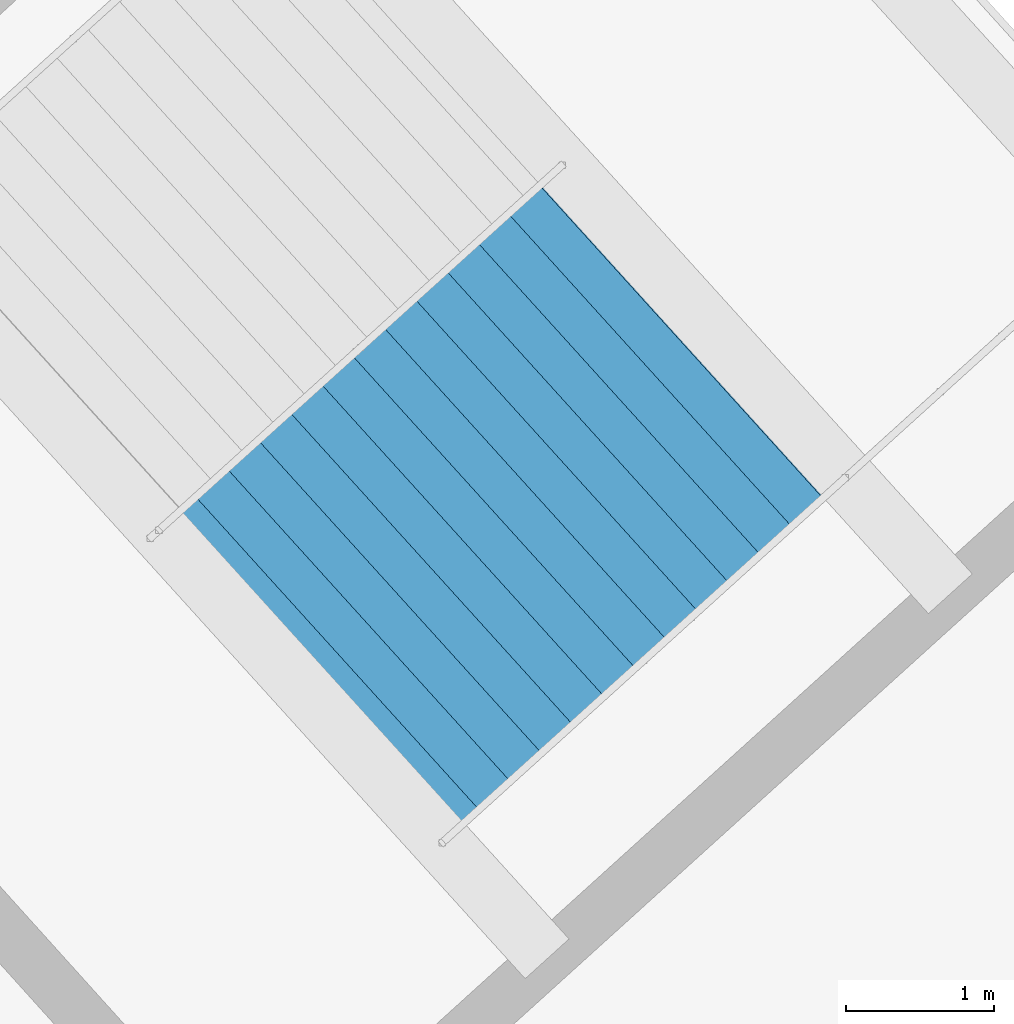
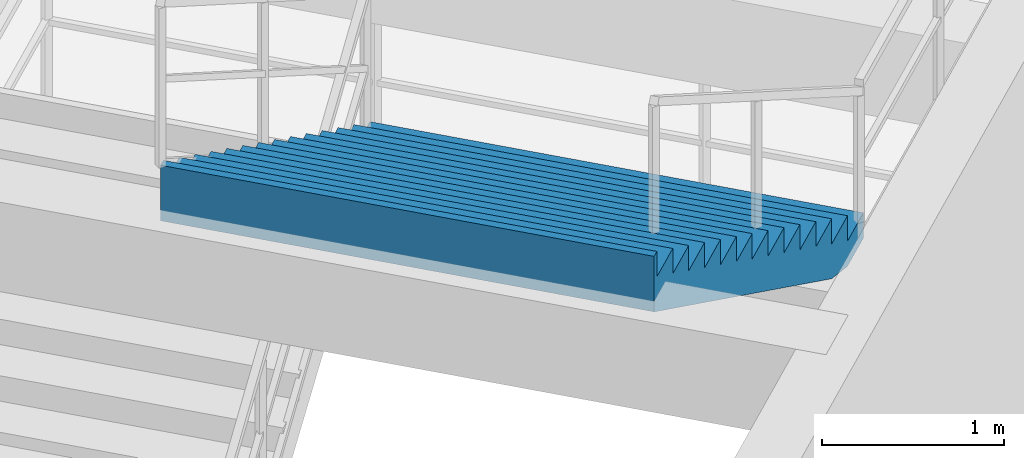
# One storey, part 148 of 171: 1 stair flight, 1 element without a shape of its own.
"""IFC4 building model written with IfcOpenShell, lengths in metres."""

from ifc_helpers import new_model, si_unit, direction, frame, origin, place, context, subcontext, project, spatial, polygons, material, type_object, element, aggregate, save


model = new_model("IFC4")

# Units and contexts
model_context = context("Model", 3, precision=1e-05, world=origin(), true_north=direction((0.0, 1.0)))
body_context = subcontext(model_context, "Body", "Model", "MODEL_VIEW")
ifc_project = project(units=[si_unit("LENGTHUNIT", "METRE"), si_unit("AREAUNIT", "SQUARE_METRE"), si_unit("VOLUMEUNIT", "CUBIC_METRE"), si_unit("PLANEANGLEUNIT", "RADIAN"), si_unit("MASSUNIT", "GRAM", prefix="KILO")], contexts=[model_context])

# Site, building, storey
site_placement = place(None, origin())
site = spatial("IfcSite", under=ifc_project, at=site_placement, CompositionType="ELEMENT")
building_placement = place(site_placement, origin())
building = spatial("IfcBuilding", under=site, at=building_placement, Name="Kazemori Nagisa Stadium", CompositionType="ELEMENT")
storey_placement = place(building_placement, frame((0.0, 0.0, 15.639892578125)))
storey = spatial("IfcBuildingStorey", under=building, at=storey_placement, Name="L03", CompositionType="ELEMENT", Elevation=15.639892578125)

# Stair, stair flight
ifc_material = material(Name="Concrete C36/45 (Fc36)", Category="concrete")
stair_type = type_object("IfcStairType", Name="Stair_CORE_28", PredefinedType="TWO_STRAIGHT_RUN_STAIR", material=ifc_material)
stair_placement = place(storey_placement, origin())
stair = element("IfcStair", 1, at=stair_placement, inside=storey, type_object=stair_type, Name="Exit stair ST04 L03", PredefinedType="TWO_STRAIGHT_RUN_STAIR")
stair_flight_type = type_object("IfcStairFlightType", Name="Flight_CORE_14", PredefinedType="STRAIGHT", material=ifc_material)
stair_flight_placement = place(storey_placement, frame((187.531494140625, 39.871337890625, 2.380126953125), z_axis=(0.0, 0.0, 1.0), x_axis=(-0.741324991793, -0.671146225903, 0.0)))
stair_flight = element("IfcStairFlight", 2, at=stair_flight_placement, type_object=stair_flight_type, Name="Exit stair ST04 L03 flight 2", NumberOfRisers=14, NumberOfTreads=13, PredefinedType="STRAIGHT", RiserHeight=0.17, TreadLength=0.285, context=body_context, shape_type="Tessellation", body=[
    polygons([(0.0, -1.425048828125, 0.0), (0.0, -1.425048828125, 0.169921875), (0.284912109375, -1.425048828125, 0.169921875), (0.284912109375, -1.425048828125, 0.340087890625), (0.570068359375, -1.425048828125, 0.340087890625), (0.570068359375, -1.425048828125, 0.510009765625), (0.85498046875, -1.425048828125, 0.510009765625), (0.85498046875, -1.425048828125, 0.679931640625), (1.139892578125, -1.425048828125, 0.679931640625), (1.139892578125, -1.425048828125, 0.85009765625), (1.425048828125, -1.425048828125, 0.85009765625), (1.425048828125, -1.425048828125, 1.02001953125), (1.7099609375, -1.425048828125, 1.02001953125), (1.7099609375, -1.425048828125, 1.18994140625), (1.9951171875, -1.425048828125, 1.18994140625), (1.9951171875, -1.425048828125, 1.360107421875), (2.280029296875, -1.425048828125, 1.360107421875), (2.280029296875, -1.425048828125, 1.530029296875), (2.56494140625, -1.425048828125, 1.530029296875), (2.56494140625, -1.425048828125, 1.699951171875), (2.85009765625, -1.425048828125, 1.699951171875), (2.85009765625, -1.425048828125, 1.8701171875), (3.135009765625, -1.425048828125, 1.8701171875), (3.135009765625, -1.425048828125, 2.0400390625), (3.419921875, -1.425048828125, 2.0400390625), (3.419921875, -1.425048828125, 2.2099609375), (3.705078125, -1.425048828125, 2.2099609375), (3.705078125, -1.425048828125, 2.3798828125), (3.7548828125, -1.425048828125, 2.3798828125), (3.7548828125, -1.425048828125, 2.007080078125), (3.705078125, -1.425048828125, 1.977294921875), (3.419921875, -1.425048828125, 1.80712890625), (3.135009765625, -1.425048828125, 1.63720703125), (2.85009765625, -1.425048828125, 1.46728515625), (2.56494140625, -1.425048828125, 1.297119140625), (2.280029296875, -1.425048828125, 1.127197265625), (1.9951171875, -1.425048828125, 0.957275390625), (1.7099609375, -1.425048828125, 0.787109375), (1.425048828125, -1.425048828125, 0.6171875), (1.139892578125, -1.425048828125, 0.447265625), (0.85498046875, -1.425048828125, 0.277099609375), (0.570068359375, -1.425048828125, 0.107177734375), (0.284912109375, -1.425048828125, 0.0), (0.0, -0.08544921875, 0.0), (0.0, -0.08544921875, 0.169921875), (0.284912109375, -0.08544921875, 0.169921875), (0.284912109375, -0.08544921875, 0.340087890625), (0.570068359375, -0.08544921875, 0.340087890625), (0.570068359375, -0.08544921875, 0.510009765625), (0.85498046875, -0.08544921875, 0.510009765625), (0.85498046875, -0.08544921875, 0.679931640625), (1.139892578125, -0.08544921875, 0.679931640625), (1.139892578125, -0.08544921875, 0.85009765625), (1.425048828125, -0.08544921875, 0.85009765625), (1.425048828125, -0.08544921875, 1.02001953125), (1.7099609375, -0.08544921875, 1.02001953125), (1.7099609375, -0.08544921875, 1.18994140625), (1.9951171875, -0.08544921875, 1.18994140625), (1.9951171875, -0.08544921875, 1.360107421875), (2.280029296875, -0.08544921875, 1.360107421875), (2.280029296875, -0.08544921875, 1.530029296875), (2.56494140625, -0.08544921875, 1.530029296875), (2.56494140625, -0.08544921875, 1.699951171875), (2.85009765625, -0.08544921875, 1.699951171875), (2.85009765625, -0.08544921875, 1.8701171875), (3.135009765625, -0.08544921875, 1.8701171875), (3.135009765625, -0.08544921875, 2.0400390625), (3.419921875, -0.08544921875, 2.0400390625), (3.419921875, -0.08544921875, 2.2099609375), (3.705078125, -0.08544921875, 2.2099609375), (3.705078125, -0.08544921875, 2.3798828125), (3.7548828125, -0.08544921875, 2.3798828125), (3.7548828125, -0.08544921875, 2.007080078125), (3.705078125, -0.08544921875, 1.977294921875), (3.419921875, -0.08544921875, 1.80712890625), (3.135009765625, -0.08544921875, 1.63720703125), (2.85009765625, -0.08544921875, 1.46728515625), (2.56494140625, -0.08544921875, 1.297119140625), (2.280029296875, -0.08544921875, 1.127197265625), (1.9951171875, -0.08544921875, 0.957275390625), (1.7099609375, -0.08544921875, 0.787109375), (1.425048828125, -0.08544921875, 0.6171875), (1.139892578125, -0.08544921875, 0.447265625), (0.85498046875, -0.08544921875, 0.277099609375), (0.570068359375, -0.08544921875, 0.107177734375), (0.284912109375, -0.08544921875, 0.0), (0.0, 0.0, 0.0), (0.0, 0.0, 0.169921875), (0.284912109375, 0.0, 0.169921875), (0.284912109375, 0.0, 0.340087890625), (0.570068359375, 0.0, 0.340087890625), (0.570068359375, 0.0, 0.510009765625), (0.85498046875, 0.0, 0.510009765625), (0.85498046875, 0.0, 0.679931640625), (1.139892578125, 0.0, 0.679931640625), (1.139892578125, 0.0, 0.85009765625), (1.425048828125, 0.0, 0.85009765625), (1.425048828125, 0.0, 1.02001953125), (1.7099609375, 0.0, 1.02001953125), (1.7099609375, 0.0, 1.18994140625), (1.9951171875, 0.0, 1.18994140625), (1.9951171875, 0.0, 1.360107421875), (2.280029296875, 0.0, 1.360107421875), (2.280029296875, 0.0, 1.530029296875), (2.56494140625, 0.0, 1.530029296875), (2.56494140625, 0.0, 1.699951171875), (2.85009765625, 0.0, 1.699951171875), (2.85009765625, 0.0, 1.8701171875), (3.135009765625, 0.0, 1.8701171875), (3.135009765625, 0.0, 2.0400390625), (3.419921875, 0.0, 2.0400390625), (3.419921875, 0.0, 2.2099609375), (3.705078125, 0.0, 2.2099609375), (3.705078125, 0.0, 2.3798828125), (3.7548828125, 0.0, 2.3798828125), (3.7548828125, 0.0, 2.007080078125), (3.705078125, 0.0, 1.977294921875), (3.419921875, 0.0, 1.80712890625), (3.135009765625, 0.0, 1.63720703125), (2.85009765625, 0.0, 1.46728515625), (2.56494140625, 0.0, 1.297119140625), (2.280029296875, 0.0, 1.127197265625), (1.9951171875, 0.0, 0.957275390625), (1.7099609375, 0.0, 0.787109375), (1.425048828125, 0.0, 0.6171875), (1.139892578125, 0.0, 0.447265625), (0.85498046875, 0.0, 0.277099609375), (0.570068359375, 0.0, 0.107177734375), (0.284912109375, 0.0, 0.0), (0.0, 0.08544921875, 0.0), (0.0, 0.08544921875, 0.169921875), (0.284912109375, 0.08544921875, 0.169921875), (0.284912109375, 0.08544921875, 0.340087890625), (0.570068359375, 0.08544921875, 0.340087890625), (0.570068359375, 0.08544921875, 0.510009765625), (0.85498046875, 0.08544921875, 0.510009765625), (0.85498046875, 0.08544921875, 0.679931640625), (1.139892578125, 0.08544921875, 0.679931640625), (1.139892578125, 0.08544921875, 0.85009765625), (1.425048828125, 0.08544921875, 0.85009765625), (1.425048828125, 0.08544921875, 1.02001953125), (1.7099609375, 0.08544921875, 1.02001953125), (1.7099609375, 0.08544921875, 1.18994140625), (1.9951171875, 0.08544921875, 1.18994140625), (1.9951171875, 0.08544921875, 1.360107421875), (2.280029296875, 0.08544921875, 1.360107421875), (2.280029296875, 0.08544921875, 1.530029296875), (2.56494140625, 0.08544921875, 1.530029296875), (2.56494140625, 0.08544921875, 1.699951171875), (2.85009765625, 0.08544921875, 1.699951171875), (2.85009765625, 0.08544921875, 1.8701171875), (3.135009765625, 0.08544921875, 1.8701171875), (3.135009765625, 0.08544921875, 2.0400390625), (3.419921875, 0.08544921875, 2.0400390625), (3.419921875, 0.08544921875, 2.2099609375), (3.705078125, 0.08544921875, 2.2099609375), (3.705078125, 0.08544921875, 2.3798828125), (3.7548828125, 0.08544921875, 2.3798828125), (3.7548828125, 0.08544921875, 2.007080078125), (3.705078125, 0.08544921875, 1.977294921875), (3.419921875, 0.08544921875, 1.80712890625), (3.135009765625, 0.08544921875, 1.63720703125), (2.85009765625, 0.08544921875, 1.46728515625), (2.56494140625, 0.08544921875, 1.297119140625), (2.280029296875, 0.08544921875, 1.127197265625), (1.9951171875, 0.08544921875, 0.957275390625), (1.7099609375, 0.08544921875, 0.787109375), (1.425048828125, 0.08544921875, 0.6171875), (1.139892578125, 0.08544921875, 0.447265625), (0.85498046875, 0.08544921875, 0.277099609375), (0.570068359375, 0.08544921875, 0.107177734375), (0.284912109375, 0.08544921875, 0.0), (0.0, 1.425048828125, 0.0), (0.0, 1.425048828125, 0.169921875), (0.284912109375, 1.425048828125, 0.169921875), (0.284912109375, 1.425048828125, 0.340087890625), (0.570068359375, 1.425048828125, 0.340087890625), (0.570068359375, 1.425048828125, 0.510009765625), (0.85498046875, 1.425048828125, 0.510009765625), (0.85498046875, 1.425048828125, 0.679931640625), (1.139892578125, 1.425048828125, 0.679931640625), (1.139892578125, 1.425048828125, 0.85009765625), (1.425048828125, 1.425048828125, 0.85009765625), (1.425048828125, 1.425048828125, 1.02001953125), (1.7099609375, 1.425048828125, 1.02001953125), (1.7099609375, 1.425048828125, 1.18994140625), (1.9951171875, 1.425048828125, 1.18994140625), (1.9951171875, 1.425048828125, 1.360107421875), (2.280029296875, 1.425048828125, 1.360107421875), (2.280029296875, 1.425048828125, 1.530029296875), (2.56494140625, 1.425048828125, 1.530029296875), (2.56494140625, 1.425048828125, 1.699951171875), (2.85009765625, 1.425048828125, 1.699951171875), (2.85009765625, 1.425048828125, 1.8701171875), (3.135009765625, 1.425048828125, 1.8701171875), (3.135009765625, 1.425048828125, 2.0400390625), (3.419921875, 1.425048828125, 2.0400390625), (3.419921875, 1.425048828125, 2.2099609375), (3.705078125, 1.425048828125, 2.2099609375), (3.705078125, 1.425048828125, 2.3798828125), (3.7548828125, 1.425048828125, 2.3798828125), (3.7548828125, 1.425048828125, 2.007080078125), (3.705078125, 1.425048828125, 1.977294921875), (3.419921875, 1.425048828125, 1.80712890625), (3.135009765625, 1.425048828125, 1.63720703125), (2.85009765625, 1.425048828125, 1.46728515625), (2.56494140625, 1.425048828125, 1.297119140625), (2.280029296875, 1.425048828125, 1.127197265625), (1.9951171875, 1.425048828125, 0.957275390625), (1.7099609375, 1.425048828125, 0.787109375), (1.425048828125, 1.425048828125, 0.6171875), (1.139892578125, 1.425048828125, 0.447265625), (0.85498046875, 1.425048828125, 0.277099609375), (0.570068359375, 1.425048828125, 0.107177734375), (0.284912109375, 1.425048828125, 0.0)], [[[1, 2, 45]], [[1, 45, 44]], [[2, 3, 46]], [[2, 46, 45]], [[3, 4, 47]], [[3, 47, 46]], [[4, 5, 48]], [[4, 48, 47]], [[5, 6, 49]], [[5, 49, 48]], [[6, 7, 50]], [[6, 50, 49]], [[7, 8, 51]], [[7, 51, 50]], [[8, 9, 52]], [[8, 52, 51]], [[9, 10, 53]], [[9, 53, 52]], [[10, 11, 54]], [[10, 54, 53]], [[11, 12, 55]], [[11, 55, 54]], [[12, 13, 56]], [[12, 56, 55]], [[13, 14, 57]], [[13, 57, 56]], [[14, 15, 58]], [[14, 58, 57]], [[15, 16, 59]], [[15, 59, 58]], [[16, 17, 60]], [[16, 60, 59]], [[17, 18, 61]], [[17, 61, 60]], [[18, 19, 62]], [[18, 62, 61]], [[19, 20, 63]], [[19, 63, 62]], [[20, 21, 64]], [[20, 64, 63]], [[21, 22, 65]], [[21, 65, 64]], [[22, 23, 66]], [[22, 66, 65]], [[23, 24, 67]], [[23, 67, 66]], [[24, 25, 68]], [[24, 68, 67]], [[25, 26, 69]], [[25, 69, 68]], [[26, 27, 70]], [[26, 70, 69]], [[27, 28, 71]], [[27, 71, 70]], [[28, 29, 72]], [[28, 72, 71]], [[29, 30, 73]], [[29, 73, 72]], [[30, 31, 74]], [[30, 74, 73]], [[31, 32, 75]], [[31, 75, 74]], [[32, 33, 76]], [[32, 76, 75]], [[33, 34, 77]], [[33, 77, 76]], [[34, 35, 78]], [[34, 78, 77]], [[35, 36, 79]], [[35, 79, 78]], [[36, 37, 80]], [[36, 80, 79]], [[37, 38, 81]], [[37, 81, 80]], [[38, 39, 82]], [[38, 82, 81]], [[39, 40, 83]], [[39, 83, 82]], [[40, 41, 84]], [[40, 84, 83]], [[41, 42, 85]], [[41, 85, 84]], [[42, 43, 86]], [[42, 86, 85]], [[43, 1, 44]], [[43, 44, 86]], [[44, 45, 88]], [[44, 88, 87]], [[45, 46, 89]], [[45, 89, 88]], [[46, 47, 90]], [[46, 90, 89]], [[47, 48, 91]], [[47, 91, 90]], [[48, 49, 92]], [[48, 92, 91]], [[49, 50, 93]], [[49, 93, 92]], [[50, 51, 94]], [[50, 94, 93]], [[51, 52, 95]], [[51, 95, 94]], [[52, 53, 96]], [[52, 96, 95]], [[53, 54, 97]], [[53, 97, 96]], [[54, 55, 98]], [[54, 98, 97]], [[55, 56, 99]], [[55, 99, 98]], [[56, 57, 100]], [[56, 100, 99]], [[57, 58, 101]], [[57, 101, 100]], [[58, 59, 102]], [[58, 102, 101]], [[59, 60, 103]], [[59, 103, 102]], [[60, 61, 104]], [[60, 104, 103]], [[61, 62, 105]], [[61, 105, 104]], [[62, 63, 106]], [[62, 106, 105]], [[63, 64, 107]], [[63, 107, 106]], [[64, 65, 108]], [[64, 108, 107]], [[65, 66, 109]], [[65, 109, 108]], [[66, 67, 110]], [[66, 110, 109]], [[67, 68, 111]], [[67, 111, 110]], [[68, 69, 112]], [[68, 112, 111]], [[69, 70, 113]], [[69, 113, 112]], [[70, 71, 114]], [[70, 114, 113]], [[71, 72, 115]], [[71, 115, 114]], [[72, 73, 116]], [[72, 116, 115]], [[73, 74, 117]], [[73, 117, 116]], [[74, 75, 118]], [[74, 118, 117]], [[75, 76, 119]], [[75, 119, 118]], [[76, 77, 120]], [[76, 120, 119]], [[77, 78, 121]], [[77, 121, 120]], [[78, 79, 122]], [[78, 122, 121]], [[79, 80, 123]], [[79, 123, 122]], [[80, 81, 124]], [[80, 124, 123]], [[81, 82, 125]], [[81, 125, 124]], [[82, 83, 126]], [[82, 126, 125]], [[83, 84, 127]], [[83, 127, 126]], [[84, 85, 128]], [[84, 128, 127]], [[85, 86, 129]], [[85, 129, 128]], [[86, 44, 87]], [[86, 87, 129]], [[87, 88, 131]], [[87, 131, 130]], [[88, 89, 132]], [[88, 132, 131]], [[89, 90, 133]], [[89, 133, 132]], [[90, 91, 134]], [[90, 134, 133]], [[91, 92, 135]], [[91, 135, 134]], [[92, 93, 136]], [[92, 136, 135]], [[93, 94, 137]], [[93, 137, 136]], [[94, 95, 138]], [[94, 138, 137]], [[95, 96, 139]], [[95, 139, 138]], [[96, 97, 140]], [[96, 140, 139]], [[97, 98, 141]], [[97, 141, 140]], [[98, 99, 142]], [[98, 142, 141]], [[99, 100, 143]], [[99, 143, 142]], [[100, 101, 144]], [[100, 144, 143]], [[101, 102, 145]], [[101, 145, 144]], [[102, 103, 146]], [[102, 146, 145]], [[103, 104, 147]], [[103, 147, 146]], [[104, 105, 148]], [[104, 148, 147]], [[105, 106, 149]], [[105, 149, 148]], [[106, 107, 150]], [[106, 150, 149]], [[107, 108, 151]], [[107, 151, 150]], [[108, 109, 152]], [[108, 152, 151]], [[109, 110, 153]], [[109, 153, 152]], [[110, 111, 154]], [[110, 154, 153]], [[111, 112, 155]], [[111, 155, 154]], [[112, 113, 156]], [[112, 156, 155]], [[113, 114, 157]], [[113, 157, 156]], [[114, 115, 158]], [[114, 158, 157]], [[115, 116, 159]], [[115, 159, 158]], [[116, 117, 160]], [[116, 160, 159]], [[117, 118, 161]], [[117, 161, 160]], [[118, 119, 162]], [[118, 162, 161]], [[119, 120, 163]], [[119, 163, 162]], [[120, 121, 164]], [[120, 164, 163]], [[121, 122, 165]], [[121, 165, 164]], [[122, 123, 166]], [[122, 166, 165]], [[123, 124, 167]], [[123, 167, 166]], [[124, 125, 168]], [[124, 168, 167]], [[125, 126, 169]], [[125, 169, 168]], [[126, 127, 170]], [[126, 170, 169]], [[127, 128, 171]], [[127, 171, 170]], [[128, 129, 172]], [[128, 172, 171]], [[129, 87, 130]], [[129, 130, 172]], [[130, 131, 174]], [[130, 174, 173]], [[131, 132, 175]], [[131, 175, 174]], [[132, 133, 176]], [[132, 176, 175]], [[133, 134, 177]], [[133, 177, 176]], [[134, 135, 178]], [[134, 178, 177]], [[135, 136, 179]], [[135, 179, 178]], [[136, 137, 180]], [[136, 180, 179]], [[137, 138, 181]], [[137, 181, 180]], [[138, 139, 182]], [[138, 182, 181]], [[139, 140, 183]], [[139, 183, 182]], [[140, 141, 184]], [[140, 184, 183]], [[141, 142, 185]], [[141, 185, 184]], [[142, 143, 186]], [[142, 186, 185]], [[143, 144, 187]], [[143, 187, 186]], [[144, 145, 188]], [[144, 188, 187]], [[145, 146, 189]], [[145, 189, 188]], [[146, 147, 190]], [[146, 190, 189]], [[147, 148, 191]], [[147, 191, 190]], [[148, 149, 192]], [[148, 192, 191]], [[149, 150, 193]], [[149, 193, 192]], [[150, 151, 194]], [[150, 194, 193]], [[151, 152, 195]], [[151, 195, 194]], [[152, 153, 196]], [[152, 196, 195]], [[153, 154, 197]], [[153, 197, 196]], [[154, 155, 198]], [[154, 198, 197]], [[155, 156, 199]], [[155, 199, 198]], [[156, 157, 200]], [[156, 200, 199]], [[157, 158, 201]], [[157, 201, 200]], [[158, 159, 202]], [[158, 202, 201]], [[159, 160, 203]], [[159, 203, 202]], [[160, 161, 204]], [[160, 204, 203]], [[161, 162, 205]], [[161, 205, 204]], [[162, 163, 206]], [[162, 206, 205]], [[163, 164, 207]], [[163, 207, 206]], [[164, 165, 208]], [[164, 208, 207]], [[165, 166, 209]], [[165, 209, 208]], [[166, 167, 210]], [[166, 210, 209]], [[167, 168, 211]], [[167, 211, 210]], [[168, 169, 212]], [[168, 212, 211]], [[169, 170, 213]], [[169, 213, 212]], [[170, 171, 214]], [[170, 214, 213]], [[171, 172, 215]], [[171, 215, 214]], [[172, 130, 173]], [[172, 173, 215]], [[3, 2, 1]], [[173, 174, 175]], [[43, 3, 1]], [[173, 175, 215]], [[42, 3, 43]], [[215, 175, 214]], [[5, 3, 42]], [[214, 175, 177]], [[5, 4, 3]], [[175, 176, 177]], [[41, 5, 42]], [[214, 177, 213]], [[7, 5, 41]], [[213, 177, 179]], [[7, 6, 5]], [[177, 178, 179]], [[40, 7, 41]], [[213, 179, 212]], [[9, 7, 40]], [[212, 179, 181]], [[9, 8, 7]], [[179, 180, 181]], [[39, 9, 40]], [[212, 181, 211]], [[11, 9, 39]], [[211, 181, 183]], [[11, 10, 9]], [[181, 182, 183]], [[38, 11, 39]], [[211, 183, 210]], [[13, 11, 38]], [[210, 183, 185]], [[13, 12, 11]], [[183, 184, 185]], [[37, 13, 38]], [[210, 185, 209]], [[15, 13, 37]], [[209, 185, 187]], [[15, 14, 13]], [[185, 186, 187]], [[36, 15, 37]], [[209, 187, 208]], [[17, 15, 36]], [[208, 187, 189]], [[17, 16, 15]], [[187, 188, 189]], [[35, 17, 36]], [[208, 189, 207]], [[19, 17, 35]], [[207, 189, 191]], [[19, 18, 17]], [[189, 190, 191]], [[34, 19, 35]], [[207, 191, 206]], [[21, 19, 34]], [[206, 191, 193]], [[21, 20, 19]], [[191, 192, 193]], [[33, 21, 34]], [[206, 193, 205]], [[23, 21, 33]], [[205, 193, 195]], [[23, 22, 21]], [[193, 194, 195]], [[32, 23, 33]], [[205, 195, 204]], [[25, 23, 32]], [[204, 195, 197]], [[25, 24, 23]], [[195, 196, 197]], [[31, 25, 32]], [[204, 197, 203]], [[27, 25, 31]], [[203, 197, 199]], [[27, 26, 25]], [[197, 198, 199]], [[30, 27, 31]], [[203, 199, 202]], [[29, 27, 30]], [[202, 199, 201]], [[29, 28, 27]], [[199, 200, 201]]], closed=True),
])
aggregate(stair, [stair_flight])

save(model, "model.ifc")
